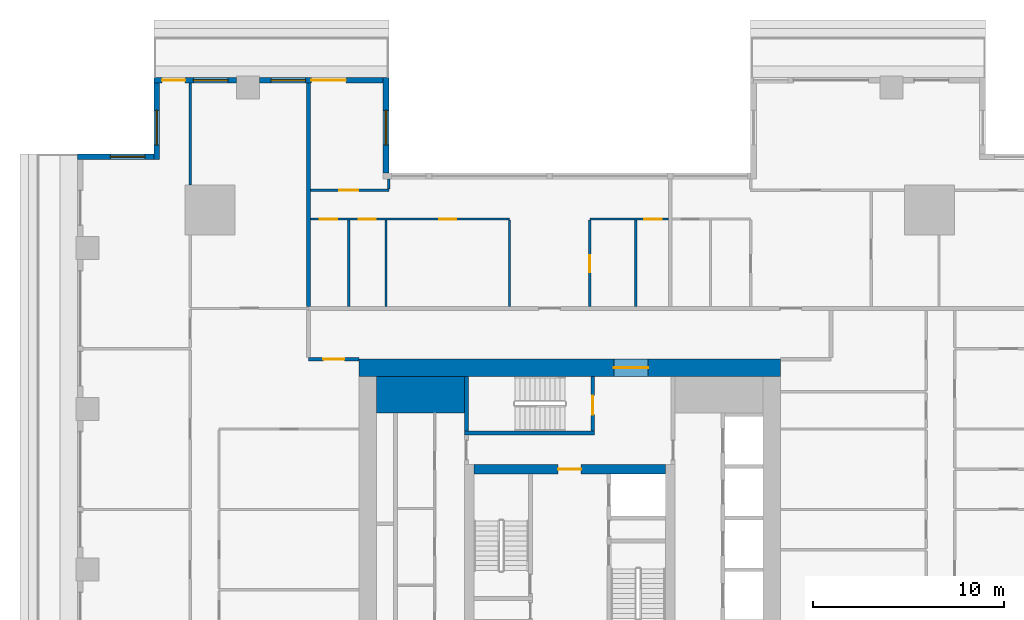
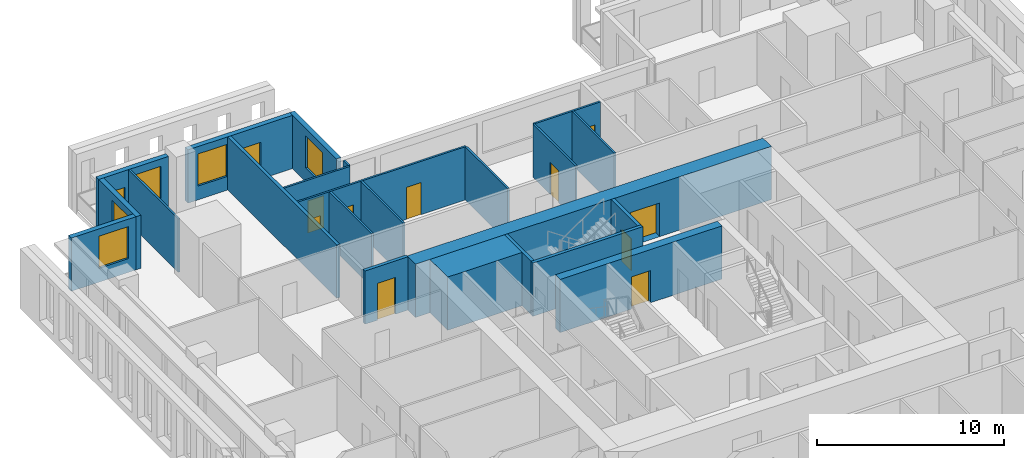
# One storey, part 7 of 15: 23 walls, 12 doors, 5 windows, 17 openings.
"""IFC4 building model written with IfcOpenShell, lengths in metres."""

from ifc_helpers import new_model, si_unit, direction, frame, frame_2d, origin, place, context, subcontext, project, spatial, rectangle, extrude, material, layer, layer_set, type_object, element, fill, save


model = new_model("IFC4")

# Units and contexts
model_context = context("Model", 3, precision=1e-05, world=origin(), true_north=direction((0.0, 1.0)))
body_context = subcontext(model_context, "Body", "Model", "MODEL_VIEW")
ifc_project = project(units=[si_unit("LENGTHUNIT", "METRE"), si_unit("AREAUNIT", "SQUARE_METRE"), si_unit("VOLUMEUNIT", "CUBIC_METRE"), si_unit("PLANEANGLEUNIT", "RADIAN"), si_unit("MASSUNIT", "GRAM", prefix="KILO")], contexts=[model_context])

# Site, building, storey
site_placement = place(None, origin())
site = spatial("IfcSite", under=ifc_project, at=site_placement, CompositionType="ELEMENT")
building_placement = place(site_placement, origin())
building = spatial("IfcBuilding", under=site, at=building_placement, Name="Khepri Terraces", CompositionType="ELEMENT")
storey_placement = place(building_placement, frame((0.0, 0.0, 161.10009765625)))
storey = spatial("IfcBuildingStorey", under=building, at=storey_placement, Name="L38", CompositionType="ELEMENT", Elevation=161.10009765625)

# Walls
ifc_material_1 = material(Name="Concrete C60/75", Category="concrete")
ifc_layer_1 = layer(ifc_material_1, 1.89990234375, Name="Concrete C60/75", Category="concrete")
ifc_layer_set_1 = layer_set([ifc_layer_1], Name="Concrete C60/75")
wall_type_1 = type_object("IfcWallType", Name="Core wall 1900 C60/75", PredefinedType="SHEAR", material=ifc_layer_set_1)
wall_1_placement = place(storey_placement, frame((-10.10009765625, 9.14990234375, 0.0), z_axis=(0.0, 0.0, 1.0), x_axis=(1.0, 0.0, 0.0)))
element("IfcWall", 1, at=wall_1_placement, inside=storey, type_object=wall_type_1, Name="Core wall PR03 L38", PredefinedType="SHEAR", context=body_context, shape_type="SweptSolid", body=[
    extrude(rectangle(XDim=4.60009765625, YDim=1.89990234375, at=frame_2d((2.300048828125, 0.0))), origin(), (0.0, 0.0, 1.0), 3.47998046875),
])
ifc_layer_2 = layer(ifc_material_1, 0.199951171875, Name="Concrete C60/75", Category="concrete")
ifc_layer_set_2 = layer_set([ifc_layer_2], Name="Concrete C60/75")
wall_type_2 = type_object("IfcWallType", Name="Core wall 200 C60/75", PredefinedType="SHEAR", material=ifc_layer_set_2)
wall_2_placement = place(storey_placement, frame((-5.5, 7.14990234375, 0.0), z_axis=(0.0, 0.0, 1.0), x_axis=(1.0, 0.0, 0.0)))
element("IfcWall", 2, at=wall_2_placement, inside=storey, type_object=wall_type_2, Name="Core wall ST05 L38", PredefinedType="SHEAR", context=body_context, shape_type="SweptSolid", body=[
    extrude(rectangle(XDim=6.800048828125, YDim=0.199951171875, at=frame_2d((3.39990234375, 0.0))), origin(), (0.0, 0.0, 1.0), 3.47998046875),
])
wall_3_placement = place(storey_placement, frame((-5.39990234375, 7.25, 0.0), z_axis=(0.0, 0.0, 1.0), x_axis=(0.0, 1.0, 0.0)))
element("IfcWall", 3, at=wall_3_placement, inside=storey, type_object=wall_type_2, Name="Core wall ST06 L38", PredefinedType="SHEAR", context=body_context, shape_type="SweptSolid", body=[
    extrude(rectangle(XDim=2.85009765625, YDim=0.199951171875, at=frame_2d((1.425048828125, 0.0))), origin(), (0.0, 0.0, 1.0), 3.47998046875),
])

# Wall, opening, door
wall_4_placement = place(storey_placement, frame((1.199951171875, 7.25, 0.0), z_axis=(0.0, 0.0, 1.0), x_axis=(0.0, 1.0, 0.0)))
wall_4 = element("IfcWall", 4, at=wall_4_placement, inside=storey, type_object=wall_type_2, Name="Core wall ST07 L38", PredefinedType="SHEAR", context=body_context, shape_type="SweptSolid", body=[
    extrude(rectangle(XDim=2.85009765625, YDim=0.199951171875, at=frame_2d((1.425048828125, 0.0))), origin(), (0.0, 0.0, 1.0), 3.47998046875),
])
opening_1_placement = place(wall_4_placement, frame((0.85009765625, 0.0, 0.0)))
opening_1 = element("IfcOpeningElement", 5, at=opening_1_placement, cuts=wall_4, Name="Opening L38-C15", PredefinedType="OPENING", context=body_context, shape_type="SweptSolid", body=[
    extrude(rectangle(XDim=1.0, YDim=2.10009765625, at=frame_2d((0.5, 1.050048828125))), frame((0.0, 0.10986328125, 0.0), z_axis=(0.0, -1.0, 0.0), x_axis=(1.0, 0.0, 0.0)), (0.0, 0.0, 1.0), 0.219970703125),
])
ifc_material_2 = material(Name="Painted steel", Category="steel")
door_type_1 = type_object("IfcDoorType", Name="DR-CORE-STAIR-1000", OperationType="NOTDEFINED", PredefinedType="DOOR", material=ifc_material_2)
door_1_placement = place(opening_1_placement, origin())
door_1 = element("IfcDoor", 6, at=door_1_placement, inside=storey, type_object=door_type_1, Name="Stair door L38-C15", OperationType="SINGLE_SWING_LEFT", OverallHeight=2.10009765625, OverallWidth=1.0, PredefinedType="DOOR", context=body_context, shape_type="SweptSolid", body=[
    extrude(rectangle(XDim=1.0, YDim=2.10009765625, at=frame_2d((0.5, 1.050048828125))), frame((0.0, 0.02490234375, 0.0), z_axis=(0.0, -1.0, 0.0), x_axis=(1.0, 0.0, 0.0)), (0.0, 0.0, 1.0), 0.050048828125),
])
fill(opening_1, door_1)

ifc_layer_3 = layer(ifc_material_1, 0.5, Name="Concrete C60/75", Category="concrete")
ifc_layer_set_3 = layer_set([ifc_layer_3], Name="Concrete C60/75")
wall_type_3 = type_object("IfcWallType", Name="Core wall 500 C60/75", PredefinedType="SHEAR", material=ifc_layer_set_3)
wall_5_placement = place(storey_placement, frame((-5.0, 5.25, 0.0), z_axis=(0.0, 0.0, 1.0), x_axis=(1.0, 0.0, 0.0)))
wall_5 = element("IfcWall", 7, at=wall_5_placement, inside=storey, type_object=wall_type_3, Name="Core wall BX04 L38", PredefinedType="SHEAR", context=body_context, shape_type="SweptSolid", body=[
    extrude(rectangle(XDim=10.0, YDim=0.5, at=frame_2d((5.0, 0.0))), origin(), (0.0, 0.0, 1.0), 3.47998046875),
])
opening_2_placement = place(wall_5_placement, frame((4.39990234375, 0.0, 0.0)))
opening_2 = element("IfcOpeningElement", 8, at=opening_2_placement, cuts=wall_5, Name="Opening L38-C13", PredefinedType="OPENING", context=body_context, shape_type="SweptSolid", body=[
    extrude(rectangle(XDim=1.199951171875, YDim=2.10009765625, at=frame_2d((0.60009765625, 1.050048828125))), frame((0.0, 0.260009765625, 0.0), z_axis=(0.0, -1.0, 0.0), x_axis=(1.0, 0.0, 0.0)), (0.0, 0.0, 1.0), 0.52001953125),
])
door_type_2 = type_object("IfcDoorType", Name="DR-CORE-FF-LOBBY-1200", OperationType="NOTDEFINED", PredefinedType="DOOR", material=ifc_material_2)
door_2_placement = place(opening_2_placement, frame((1.199951171875, 0.0, 0.0), z_axis=(0.0, 0.0, 1.0), x_axis=(-1.0, 0.0, 0.0)))
door_2 = element("IfcDoor", 9, at=door_2_placement, inside=storey, type_object=door_type_2, Name="Firefighting lobby door L38-C13", OperationType="SINGLE_SWING_LEFT", OverallHeight=2.10009765625, OverallWidth=1.199951171875, PredefinedType="DOOR", context=body_context, shape_type="SweptSolid", body=[
    extrude(rectangle(XDim=1.199951171875, YDim=2.10009765625, at=frame_2d((0.60009765625, 1.050048828125))), frame((0.0, 0.02490234375, 0.0), z_axis=(0.0, -1.0, 0.0), x_axis=(1.0, 0.0, 0.0)), (0.0, 0.0, 1.0), 0.050048828125),
])
fill(opening_2, door_2)

ifc_layer_4 = layer(ifc_material_1, 0.89990234375, Name="Concrete C60/75", Category="concrete")
ifc_layer_set_4 = layer_set([ifc_layer_4], Name="Concrete C60/75")
wall_type_4 = type_object("IfcWallType", Name="Core wall 900 C60/75", PredefinedType="SHEAR", material=ifc_layer_set_4)
wall_6_placement = place(storey_placement, frame((-11.0, 10.550048828125, 0.0), z_axis=(0.0, 0.0, 1.0), x_axis=(1.0, 0.0, 0.0)))
wall_6 = element("IfcWall", 10, at=wall_6_placement, inside=storey, type_object=wall_type_4, Name="Core wall OW-N L38", PredefinedType="SHEAR", context=body_context, shape_type="SweptSolid", body=[
    extrude(rectangle(XDim=22.0, YDim=0.89990234375, at=frame_2d((11.0, 0.0))), origin(), (0.0, 0.0, 1.0), 3.47998046875),
])
opening_3_placement = place(wall_6_placement, frame((13.300048828125, 0.0, 0.0)))
opening_3 = element("IfcOpeningElement", 11, at=opening_3_placement, cuts=wall_6, Name="Opening L38-C20", PredefinedType="OPENING", context=body_context, shape_type="SweptSolid", body=[
    extrude(rectangle(XDim=1.800048828125, YDim=2.199951171875, at=frame_2d((0.89990234375, 1.10009765625))), frame((0.0, 0.4599609375, 0.0), z_axis=(0.0, -1.0, 0.0), x_axis=(1.0, 0.0, 0.0)), (0.0, 0.0, 1.0), 0.919921875),
])
door_type_3 = type_object("IfcDoorType", Name="DR-CORE-ENTRANCE-1800", OperationType="NOTDEFINED", PredefinedType="DOOR", material=ifc_material_2)
door_3_placement = place(opening_3_placement, origin())
door_3 = element("IfcDoor", 12, at=door_3_placement, inside=storey, type_object=door_type_3, Name="Core entrance door pair L38-C20", OperationType="DOUBLE_DOOR_SINGLE_SWING", OverallHeight=2.199951171875, OverallWidth=1.800048828125, PredefinedType="DOOR", context=body_context, shape_type="SweptSolid", body=[
    extrude(rectangle(XDim=1.800048828125, YDim=2.199951171875, at=frame_2d((0.89990234375, 1.10009765625))), frame((0.0, 0.02490234375, 0.0), z_axis=(0.0, -1.0, 0.0), x_axis=(1.0, 0.0, 0.0)), (0.0, 0.0, 1.0), 0.050048828125),
])
fill(opening_3, door_3)

ifc_material_3 = material(Name="Fire-rated gypsum plasterboard partition, mineral wool")
ifc_layer_5 = layer(ifc_material_3, 0.199951171875, Name="Fire-rated gypsum plasterboard partition, mineral wool")
ifc_layer_set_5 = layer_set([ifc_layer_5], Name="Fire-rated gypsum plasterboard partition, mineral wool")
wall_type_5 = type_object("IfcWallType", Name="WL-CORR-200", PredefinedType="PARTITIONING", material=ifc_layer_set_5)
wall_7_placement = place(storey_placement, frame((-13.64990234375, 11.0, 0.0), z_axis=(0.0, 0.0, 1.0), x_axis=(1.0, 0.0, 0.0)))
wall_7 = element("IfcWall", 13, at=wall_7_placement, inside=storey, type_object=wall_type_5, Name="Partition P-075 L38", PredefinedType="PARTITIONING", context=body_context, shape_type="SweptSolid", body=[
    extrude(rectangle(XDim=2.64990234375, YDim=0.199951171875, at=frame_2d((1.324951171875, 0.0))), origin(), (0.0, 0.0, 1.0), 3.47998046875),
])
opening_4_placement = place(wall_7_placement, frame((0.77490234375, 0.0, 0.0)))
opening_4 = element("IfcOpeningElement", 14, at=opening_4_placement, cuts=wall_7, Name="Opening D1", PredefinedType="OPENING", context=body_context, shape_type="SweptSolid", body=[
    extrude(rectangle(XDim=1.10009765625, YDim=2.39990234375, at=frame_2d((0.550048828125, 1.199951171875))), frame((0.0, 0.10986328125, 0.0), z_axis=(0.0, -1.0, 0.0), x_axis=(1.0, 0.0, 0.0)), (0.0, 0.0, 1.0), 0.219970703125),
])
ifc_material_4 = material(Name="Solid-core timber door leaf, flat entrance door", Category="wood")
door_type_4 = type_object("IfcDoorType", Name="DR-ENT-1100", OperationType="NOTDEFINED", PredefinedType="DOOR", material=ifc_material_4)
door_4_placement = place(opening_4_placement, frame((1.10009765625, 0.0, 0.0), z_axis=(0.0, 0.0, 1.0), x_axis=(-1.0, 0.0, 0.0)))
door_4 = element("IfcDoor", 15, at=door_4_placement, inside=storey, type_object=door_type_4, Name="Flat D1 entrance door", OperationType="SINGLE_SWING_LEFT", OverallHeight=2.39990234375, OverallWidth=1.10009765625, PredefinedType="DOOR", context=body_context, shape_type="SweptSolid", body=[
    extrude(rectangle(XDim=1.10009765625, YDim=2.39990234375, at=frame_2d((0.550048828125, 1.199951171875))), frame((0.0, 0.02490234375, 0.0), z_axis=(0.0, -1.0, 0.0), x_axis=(1.0, 0.0, 0.0)), (0.0, 0.0, 1.0), 0.050048828125),
])
fill(opening_4, door_4)

# Wall
wall_8_placement = place(storey_placement, frame((-13.64990234375, 13.75, 0.0), z_axis=(0.0, 0.0, 1.0), x_axis=(0.0, 1.0, 0.0)))
element("IfcWall", 16, at=wall_8_placement, inside=storey, type_object=wall_type_5, Name="Partition P-086 L38", PredefinedType="PARTITIONING", context=body_context, shape_type="SweptSolid", body=[
    extrude(rectangle(XDim=11.669921875, YDim=0.199951171875, at=frame_2d((5.8349609375, 0.0))), origin(), (0.0, 0.0, 1.0), 3.47998046875),
])

# Wall, opening, window
ifc_material_5 = material(Name="Precast concrete C50/60 warm stone", Category="masonry")
ifc_layer_6 = layer(ifc_material_5, 0.300048828125, Name="Precast concrete C50/60 warm stone", Category="masonry")
ifc_layer_set_6 = layer_set([ifc_layer_6], Name="Precast concrete C50/60 warm stone")
wall_type_6 = type_object("IfcWallType", Name="WL-EXT-PRECAST-300", PredefinedType="STANDARD", material=ifc_layer_set_6)
wall_9_placement = place(storey_placement, frame((-9.60009765625, 20.719970703125, 0.0), z_axis=(0.0, 0.0, 1.0), x_axis=(0.0, 1.0, 0.0)))
wall_9 = element("IfcWall", 17, at=wall_9_placement, inside=storey, type_object=wall_type_6, Name="External wall L38 E", PredefinedType="STANDARD", context=body_context, shape_type="SweptSolid", body=[
    extrude(rectangle(XDim=5.0, YDim=0.300048828125, at=frame_2d((2.5, 0.0))), origin(), (0.0, 0.0, 1.0), 3.47998046875),
])
opening_5_placement = place(wall_9_placement, frame((1.47998046875, 0.0, 0.89990234375)))
opening_5 = element("IfcOpeningElement", 18, at=opening_5_placement, cuts=wall_9, Name="Opening W1", PredefinedType="OPENING", context=body_context, shape_type="SweptSolid", body=[
    extrude(rectangle(XDim=1.800048828125, YDim=2.10009765625, at=frame_2d((0.89990234375, 1.050048828125))), frame((0.0, 0.16015625, 0.0), z_axis=(0.0, -1.0, 0.0), x_axis=(1.0, 0.0, 0.0)), (0.0, 0.0, 1.0), 0.320068359375),
])
ifc_material_6 = material(Name="Clear glass", Category="glass")
window_type = type_object("IfcWindowType", Name="WIN-RES-1800x2100", PartitioningType="SINGLE_PANEL", PredefinedType="WINDOW", material=ifc_material_6)
window_1_placement = place(opening_5_placement, origin())
window_1 = element("IfcWindow", 19, at=window_1_placement, inside=storey, type_object=window_type, Name="Window L38 E", OverallHeight=2.10009765625, OverallWidth=1.800048828125, PartitioningType="SINGLE_PANEL", PredefinedType="WINDOW", context=body_context, shape_type="SweptSolid", body=[
    extrude(rectangle(XDim=1.800048828125, YDim=2.10009765625, at=frame_2d((0.89990234375, 1.050048828125))), frame((0.0, 0.030029296875, 0.0), z_axis=(0.0, -1.0, 0.0), x_axis=(1.0, 0.0, 0.0)), (0.0, 0.0, 1.0), 0.06005859375),
])
fill(opening_5, window_1)

# Wall, openings, door, window
wall_10_placement = place(storey_placement, frame((-9.75, 25.570068359375, 0.0), z_axis=(0.0, 0.0, 1.0), x_axis=(-1.0, 0.0, 0.0)))
wall_10 = element("IfcWall", 20, at=wall_10_placement, inside=storey, type_object=wall_type_6, Name="External wall L38 N", PredefinedType="STANDARD", context=body_context, shape_type="SweptSolid", body=[
    extrude(rectangle(XDim=6.449951171875, YDim=0.300048828125, at=frame_2d((3.22509765625, 0.0))), origin(), (0.0, 0.0, 1.0), 3.47998046875),
])
opening_6_placement = place(wall_10_placement, frame((1.949951171875, 0.0, 0.0)))
opening_6 = element("IfcOpeningElement", 21, at=opening_6_placement, cuts=wall_10, Name="Opening ED-L38-10", PredefinedType="OPENING", context=body_context, shape_type="SweptSolid", body=[
    extrude(rectangle(XDim=1.800048828125, YDim=2.39990234375, at=frame_2d((0.89990234375, 1.199951171875))), frame((0.0, 0.16015625, 0.0), z_axis=(0.0, -1.0, 0.0), x_axis=(1.0, 0.0, 0.0)), (0.0, 0.0, 1.0), 0.320068359375),
])
opening_7_placement = place(wall_10_placement, frame((4.050048828125, 0.0, 0.89990234375)))
opening_7 = element("IfcOpeningElement", 22, at=opening_7_placement, cuts=wall_10, Name="Opening W1", PredefinedType="OPENING", context=body_context, shape_type="SweptSolid", body=[
    extrude(rectangle(XDim=1.800048828125, YDim=2.10009765625, at=frame_2d((0.89990234375, 1.050048828125))), frame((0.0, 0.16015625, 0.0), z_axis=(0.0, -1.0, 0.0), x_axis=(1.0, 0.0, 0.0)), (0.0, 0.0, 1.0), 0.320068359375),
])
ifc_material_7 = material(Name="Anodised aluminium bronze glazed door", Category="aluminium")
door_type_5 = type_object("IfcDoorType", Name="DR-BAL-SLIDE-1800x2400", OperationType="NOTDEFINED", PredefinedType="DOOR", material=ifc_material_7)
door_5_placement = place(opening_6_placement, origin())
door_5 = element("IfcDoor", 23, at=door_5_placement, inside=storey, type_object=door_type_5, Name="Balcony door L38 N", OperationType="SLIDING_TO_RIGHT", OverallHeight=2.39990234375, OverallWidth=1.800048828125, PredefinedType="DOOR", context=body_context, shape_type="SweptSolid", body=[
    extrude(rectangle(XDim=1.800048828125, YDim=2.39990234375, at=frame_2d((0.89990234375, 1.199951171875))), frame((0.0, 0.02490234375, 0.0), z_axis=(0.0, -1.0, 0.0), x_axis=(1.0, 0.0, 0.0)), (0.0, 0.0, 1.0), 0.050048828125),
])
fill(opening_6, door_5)
window_2_placement = place(opening_7_placement, origin())
window_2 = element("IfcWindow", 24, at=window_2_placement, inside=storey, type_object=window_type, Name="Window L38 N", OverallHeight=2.10009765625, OverallWidth=1.800048828125, PartitioningType="SINGLE_PANEL", PredefinedType="WINDOW", context=body_context, shape_type="SweptSolid", body=[
    extrude(rectangle(XDim=1.800048828125, YDim=2.10009765625, at=frame_2d((0.89990234375, 1.050048828125))), frame((0.0, 0.030029296875, 0.0), z_axis=(0.0, -1.0, 0.0), x_axis=(1.0, 0.0, 0.0)), (0.0, 0.0, 1.0), 0.06005859375),
])
fill(opening_7, window_2)

wall_11_placement = place(storey_placement, frame((-17.39990234375, 25.570068359375, 0.0), z_axis=(0.0, 0.0, 1.0), x_axis=(-1.0, 0.0, 0.0)))
wall_11 = element("IfcWall", 25, at=wall_11_placement, inside=storey, type_object=wall_type_6, Name="External wall L38 N", PredefinedType="STANDARD", context=body_context, shape_type="SweptSolid", body=[
    extrude(rectangle(XDim=4.320068359375, YDim=0.300048828125, at=frame_2d((2.16015625, 0.0))), origin(), (0.0, 0.0, 1.0), 3.47998046875),
])
opening_8_placement = place(wall_11_placement, frame((2.695068359375, 0.0, 0.0)))
opening_8 = element("IfcOpeningElement", 26, at=opening_8_placement, cuts=wall_11, Name="Opening ED-L38-11", PredefinedType="OPENING", context=body_context, shape_type="SweptSolid", body=[
    extrude(rectangle(XDim=1.199951171875, YDim=2.39990234375, at=frame_2d((0.60009765625, 1.199951171875))), frame((0.0, 0.16015625, 0.0), z_axis=(0.0, -1.0, 0.0), x_axis=(1.0, 0.0, 0.0)), (0.0, 0.0, 1.0), 0.320068359375),
])
opening_9_placement = place(wall_11_placement, frame((0.4599609375, 0.0, 0.89990234375)))
opening_9 = element("IfcOpeningElement", 27, at=opening_9_placement, cuts=wall_11, Name="Opening W1", PredefinedType="OPENING", context=body_context, shape_type="SweptSolid", body=[
    extrude(rectangle(XDim=1.800048828125, YDim=2.10009765625, at=frame_2d((0.89990234375, 1.050048828125))), frame((0.0, 0.16015625, 0.0), z_axis=(0.0, -1.0, 0.0), x_axis=(1.0, 0.0, 0.0)), (0.0, 0.0, 1.0), 0.320068359375),
])
door_type_6 = type_object("IfcDoorType", Name="DR-BAL-SLIDE-1200x2400", OperationType="NOTDEFINED", PredefinedType="DOOR", material=ifc_material_7)
door_6_placement = place(opening_8_placement, origin())
door_6 = element("IfcDoor", 28, at=door_6_placement, inside=storey, type_object=door_type_6, Name="Balcony door L38 N", OperationType="SLIDING_TO_LEFT", OverallHeight=2.39990234375, OverallWidth=1.199951171875, PredefinedType="DOOR", context=body_context, shape_type="SweptSolid", body=[
    extrude(rectangle(XDim=1.199951171875, YDim=2.39990234375, at=frame_2d((0.60009765625, 1.199951171875))), frame((0.0, 0.02490234375, 0.0), z_axis=(0.0, -1.0, 0.0), x_axis=(1.0, 0.0, 0.0)), (0.0, 0.0, 1.0), 0.050048828125),
])
fill(opening_8, door_6)
window_3_placement = place(opening_9_placement, origin())
window_3 = element("IfcWindow", 29, at=window_3_placement, inside=storey, type_object=window_type, Name="Window L38 N", OverallHeight=2.10009765625, OverallWidth=1.800048828125, PartitioningType="SINGLE_PANEL", PredefinedType="WINDOW", context=body_context, shape_type="SweptSolid", body=[
    extrude(rectangle(XDim=1.800048828125, YDim=2.10009765625, at=frame_2d((0.89990234375, 1.050048828125))), frame((0.0, 0.030029296875, 0.0), z_axis=(0.0, -1.0, 0.0), x_axis=(1.0, 0.0, 0.0)), (0.0, 0.0, 1.0), 0.06005859375),
])
fill(opening_9, window_3)

# Wall, opening, window
wall_12_placement = place(storey_placement, frame((-21.570068359375, 25.419921875, 0.0), z_axis=(0.0, 0.0, 1.0), x_axis=(0.0, -1.0, 0.0)))
wall_12 = element("IfcWall", 30, at=wall_12_placement, inside=storey, type_object=wall_type_6, Name="External wall L38 W", PredefinedType="STANDARD", context=body_context, shape_type="SweptSolid", body=[
    extrude(rectangle(XDim=4.0, YDim=0.300048828125, at=frame_2d((2.0, 0.0))), origin(), (0.0, 0.0, 1.0), 3.47998046875),
])
opening_10_placement = place(wall_12_placement, frame((1.419921875, 0.0, 0.89990234375)))
opening_10 = element("IfcOpeningElement", 31, at=opening_10_placement, cuts=wall_12, Name="Opening W1", PredefinedType="OPENING", context=body_context, shape_type="SweptSolid", body=[
    extrude(rectangle(XDim=1.800048828125, YDim=2.10009765625, at=frame_2d((0.89990234375, 1.050048828125))), frame((0.0, 0.16015625, 0.0), z_axis=(0.0, -1.0, 0.0), x_axis=(1.0, 0.0, 0.0)), (0.0, 0.0, 1.0), 0.320068359375),
])
window_4_placement = place(opening_10_placement, origin())
window_4 = element("IfcWindow", 32, at=window_4_placement, inside=storey, type_object=window_type, Name="Window L38 W", OverallHeight=2.10009765625, OverallWidth=1.800048828125, PartitioningType="SINGLE_PANEL", PredefinedType="WINDOW", context=body_context, shape_type="SweptSolid", body=[
    extrude(rectangle(XDim=1.800048828125, YDim=2.10009765625, at=frame_2d((0.89990234375, 1.050048828125))), frame((0.0, 0.030029296875, 0.0), z_axis=(0.0, -1.0, 0.0), x_axis=(1.0, 0.0, 0.0)), (0.0, 0.0, 1.0), 0.06005859375),
])
fill(opening_10, window_4)

wall_13_placement = place(storey_placement, frame((-21.719970703125, 21.570068359375, 0.0), z_axis=(0.0, 0.0, 1.0), x_axis=(-1.0, 0.0, 0.0)))
wall_13 = element("IfcWall", 33, at=wall_13_placement, inside=storey, type_object=wall_type_6, Name="External wall L38 N", PredefinedType="STANDARD", context=body_context, shape_type="SweptSolid", body=[
    extrude(rectangle(XDim=4.0, YDim=0.300048828125, at=frame_2d((2.0, 0.0))), origin(), (0.0, 0.0, 1.0), 3.47998046875),
])
opening_11_placement = place(wall_13_placement, frame((0.47998046875, 0.0, 0.89990234375)))
opening_11 = element("IfcOpeningElement", 34, at=opening_11_placement, cuts=wall_13, Name="Opening W1", PredefinedType="OPENING", context=body_context, shape_type="SweptSolid", body=[
    extrude(rectangle(XDim=1.800048828125, YDim=2.10009765625, at=frame_2d((0.89990234375, 1.050048828125))), frame((0.0, 0.16015625, 0.0), z_axis=(0.0, -1.0, 0.0), x_axis=(1.0, 0.0, 0.0)), (0.0, 0.0, 1.0), 0.320068359375),
])
window_5_placement = place(opening_11_placement, origin())
window_5 = element("IfcWindow", 35, at=window_5_placement, inside=storey, type_object=window_type, Name="Window L38 N", OverallHeight=2.10009765625, OverallWidth=1.800048828125, PartitioningType="SINGLE_PANEL", PredefinedType="WINDOW", context=body_context, shape_type="SweptSolid", body=[
    extrude(rectangle(XDim=1.800048828125, YDim=2.10009765625, at=frame_2d((0.89990234375, 1.050048828125))), frame((0.0, 0.030029296875, 0.0), z_axis=(0.0, -1.0, 0.0), x_axis=(1.0, 0.0, 0.0)), (0.0, 0.0, 1.0), 0.06005859375),
])
fill(opening_11, window_5)

# Walls
ifc_material_8 = material(Name="Gypsum plasterboard partition")
ifc_layer_7 = layer(ifc_material_8, 0.1201171875, Name="Gypsum plasterboard partition")
ifc_layer_set_7 = layer_set([ifc_layer_7], Name="Gypsum plasterboard partition")
wall_type_7 = type_object("IfcWallType", Name="WL-PART-120", PredefinedType="PARTITIONING", material=ifc_layer_set_7)
for number, where, z_axis, x_axis, name in (
    (36, (-11.550048828125, 13.75, 0.0), (0.0, 0.0, 1.0), (0.0, 1.0, 0.0), "Partition P-087 L38"),
    (37, (-9.60009765625, 13.75, 0.0), (0.0, 0.0, 1.0), (0.0, 1.0, 0.0), "Partition P-088 L38"),
    (38, (-3.14990234375, 13.75, 0.0), (0.0, 0.0, 1.0), (0.0, 1.0, 0.0), "Partition P-089 L38"),
):
    element("IfcWall", number, at=place(storey_placement, frame(where, z_axis=z_axis, x_axis=x_axis)), inside=storey, type_object=wall_type_7, Name=name, PredefinedType="PARTITIONING", context=body_context, shape_type="SweptSolid", body=[
        extrude(rectangle(XDim=4.510009765625, YDim=0.1201171875, at=frame_2d((2.2548828125, 0.0))), origin(), (0.0, 0.0, 1.0), 3.47998046875),
    ])

# Wall, opening, door
wall_14_placement = place(storey_placement, frame((1.050048828125, 13.75, 0.0), z_axis=(0.0, 0.0, 1.0), x_axis=(0.0, 1.0, 0.0)))
wall_14 = element("IfcWall", 39, at=wall_14_placement, inside=storey, type_object=wall_type_7, Name="Partition P-090 L38", PredefinedType="PARTITIONING", context=body_context, shape_type="SweptSolid", body=[
    extrude(rectangle(XDim=4.510009765625, YDim=0.1201171875, at=frame_2d((2.2548828125, 0.0))), origin(), (0.0, 0.0, 1.0), 3.47998046875),
])
opening_12_placement = place(wall_14_placement, frame((1.784912109375, 0.0, 0.0)))
opening_12 = element("IfcOpeningElement", 40, at=opening_12_placement, cuts=wall_14, Name="Opening D3", PredefinedType="OPENING", context=body_context, shape_type="SweptSolid", body=[
    extrude(rectangle(XDim=0.89990234375, YDim=2.10009765625, at=frame_2d((0.449951171875, 1.050048828125))), frame((0.0, 0.070068359375, 0.0), z_axis=(0.0, -1.0, 0.0), x_axis=(1.0, 0.0, 0.0)), (0.0, 0.0, 1.0), 0.14013671875),
])
ifc_material_9 = material(Name="Timber door leaf", Category="wood")
door_type_7 = type_object("IfcDoorType", Name="DR-INT-900", OperationType="NOTDEFINED", PredefinedType="DOOR", material=ifc_material_9)
door_7_placement = place(opening_12_placement, frame((0.89990234375, 0.0, 0.0), z_axis=(0.0, 0.0, 1.0), x_axis=(-1.0, 0.0, 0.0)))
door_7 = element("IfcDoor", 41, at=door_7_placement, inside=storey, type_object=door_type_7, Name="Door Staff Bedroom", OperationType="SINGLE_SWING_RIGHT", OverallHeight=2.10009765625, OverallWidth=0.89990234375, PredefinedType="DOOR", context=body_context, shape_type="SweptSolid", body=[
    extrude(rectangle(XDim=0.89990234375, YDim=2.10009765625, at=frame_2d((0.449951171875, 1.050048828125))), frame((0.0, 0.02490234375, 0.0), z_axis=(0.0, -1.0, 0.0), x_axis=(1.0, 0.0, 0.0)), (0.0, 0.0, 1.0), 0.050048828125),
])
fill(opening_12, door_7)

# Wall
wall_15_placement = place(storey_placement, frame((3.449951171875, 13.75, 0.0), z_axis=(0.0, 0.0, 1.0), x_axis=(0.0, 1.0, 0.0)))
element("IfcWall", 42, at=wall_15_placement, inside=storey, type_object=wall_type_7, Name="Partition P-091 L38", PredefinedType="PARTITIONING", context=body_context, shape_type="SweptSolid", body=[
    extrude(rectangle(XDim=4.510009765625, YDim=0.1201171875, at=frame_2d((2.2548828125, 0.0))), origin(), (0.0, 0.0, 1.0), 3.47998046875),
])

# Wall, openings, doors
wall_16_placement = place(storey_placement, frame((-13.550048828125, 18.320068359375, 0.0), z_axis=(0.0, 0.0, 1.0), x_axis=(1.0, 0.0, 0.0)))
wall_16 = element("IfcWall", 43, at=wall_16_placement, inside=storey, type_object=wall_type_7, Name="Partition P-097 L38", PredefinedType="PARTITIONING", context=body_context, shape_type="SweptSolid", body=[
    extrude(rectangle(XDim=10.400146484375, YDim=0.1201171875, at=frame_2d((5.2001953125, 0.0))), origin(), (0.0, 0.0, 1.0), 3.47998046875),
])
opening_13_placement = place(wall_16_placement, frame((6.72509765625, 0.0, 0.0)))
opening_13 = element("IfcOpeningElement", 44, at=opening_13_placement, cuts=wall_16, Name="Opening D3", PredefinedType="OPENING", context=body_context, shape_type="SweptSolid", body=[
    extrude(rectangle(XDim=0.89990234375, YDim=2.10009765625, at=frame_2d((0.449951171875, 1.050048828125))), frame((0.0, 0.070068359375, 0.0), z_axis=(0.0, -1.0, 0.0), x_axis=(1.0, 0.0, 0.0)), (0.0, 0.0, 1.0), 0.14013671875),
])
opening_14_placement = place(wall_16_placement, frame((2.52490234375, 0.0, 0.0)))
opening_14 = element("IfcOpeningElement", 45, at=opening_14_placement, cuts=wall_16, Name="Opening D3", PredefinedType="OPENING", context=body_context, shape_type="SweptSolid", body=[
    extrude(rectangle(XDim=0.89990234375, YDim=2.10009765625, at=frame_2d((0.449951171875, 1.050048828125))), frame((0.0, 0.070068359375, 0.0), z_axis=(0.0, -1.0, 0.0), x_axis=(1.0, 0.0, 0.0)), (0.0, 0.0, 1.0), 0.14013671875),
])
opening_15_placement = place(wall_16_placement, frame((0.5, 0.0, 0.0)))
opening_15 = element("IfcOpeningElement", 46, at=opening_15_placement, cuts=wall_16, Name="Opening D4", PredefinedType="OPENING", context=body_context, shape_type="SweptSolid", body=[
    extrude(rectangle(XDim=0.89990234375, YDim=2.10009765625, at=frame_2d((0.449951171875, 1.050048828125))), frame((0.0, 0.070068359375, 0.0), z_axis=(0.0, -1.0, 0.0), x_axis=(1.0, 0.0, 0.0)), (0.0, 0.0, 1.0), 0.14013671875),
])
door_8_placement = place(opening_13_placement, frame((0.89990234375, 0.0, 0.0), z_axis=(0.0, 0.0, 1.0), x_axis=(-1.0, 0.0, 0.0)))
door_8 = element("IfcDoor", 47, at=door_8_placement, inside=storey, type_object=door_type_7, Name="Door Kitchen", OperationType="SINGLE_SWING_LEFT", OverallHeight=2.10009765625, OverallWidth=0.89990234375, PredefinedType="DOOR", context=body_context, shape_type="SweptSolid", body=[
    extrude(rectangle(XDim=0.89990234375, YDim=2.10009765625, at=frame_2d((0.449951171875, 1.050048828125))), frame((0.0, 0.02490234375, 0.0), z_axis=(0.0, -1.0, 0.0), x_axis=(1.0, 0.0, 0.0)), (0.0, 0.0, 1.0), 0.050048828125),
])
fill(opening_13, door_8)
door_9_placement = place(opening_14_placement, frame((0.89990234375, 0.0, 0.0), z_axis=(0.0, 0.0, 1.0), x_axis=(-1.0, 0.0, 0.0)))
door_9 = element("IfcDoor", 48, at=door_9_placement, inside=storey, type_object=door_type_7, Name="Door Service Store", OperationType="SINGLE_SWING_RIGHT", OverallHeight=2.10009765625, OverallWidth=0.89990234375, PredefinedType="DOOR", context=body_context, shape_type="SweptSolid", body=[
    extrude(rectangle(XDim=0.89990234375, YDim=2.10009765625, at=frame_2d((0.449951171875, 1.050048828125))), frame((0.0, 0.02490234375, 0.0), z_axis=(0.0, -1.0, 0.0), x_axis=(1.0, 0.0, 0.0)), (0.0, 0.0, 1.0), 0.050048828125),
])
fill(opening_14, door_9)
ifc_material_10 = material(Name="Timber door leaf, moisture resistant", Category="wood")
door_type_8 = type_object("IfcDoorType", Name="DR-WET-900", OperationType="NOTDEFINED", PredefinedType="DOOR", material=ifc_material_10)
door_10_placement = place(opening_15_placement, frame((0.89990234375, 0.0, 0.0), z_axis=(0.0, 0.0, 1.0), x_axis=(-1.0, 0.0, 0.0)))
door_10 = element("IfcDoor", 49, at=door_10_placement, inside=storey, type_object=door_type_8, Name="Door Guest Bathroom", OperationType="SINGLE_SWING_RIGHT", OverallHeight=2.10009765625, OverallWidth=0.89990234375, PredefinedType="DOOR", context=body_context, shape_type="SweptSolid", body=[
    extrude(rectangle(XDim=0.89990234375, YDim=2.10009765625, at=frame_2d((0.449951171875, 1.050048828125))), frame((0.0, 0.02490234375, 0.0), z_axis=(0.0, -1.0, 0.0), x_axis=(1.0, 0.0, 0.0)), (0.0, 0.0, 1.0), 0.050048828125),
])
fill(opening_15, door_10)

# Wall, opening, door
wall_17_placement = place(storey_placement, frame((1.050048828125, 18.320068359375, 0.0), z_axis=(0.0, 0.0, 1.0), x_axis=(1.0, 0.0, 0.0)))
wall_17 = element("IfcWall", 50, at=wall_17_placement, inside=storey, type_object=wall_type_7, Name="Partition P-098 L38", PredefinedType="PARTITIONING", context=body_context, shape_type="SweptSolid", body=[
    extrude(rectangle(XDim=4.099853515625, YDim=0.1201171875, at=frame_2d((2.0498046875, 0.0))), origin(), (0.0, 0.0, 1.0), 3.47998046875),
])
opening_16_placement = place(wall_17_placement, frame((2.85009765625, 0.0, 0.0)))
opening_16 = element("IfcOpeningElement", 51, at=opening_16_placement, cuts=wall_17, Name="Opening D4", PredefinedType="OPENING", context=body_context, shape_type="SweptSolid", body=[
    extrude(rectangle(XDim=0.89990234375, YDim=2.10009765625, at=frame_2d((0.449951171875, 1.050048828125))), frame((0.0, 0.070068359375, 0.0), z_axis=(0.0, -1.0, 0.0), x_axis=(1.0, 0.0, 0.0)), (0.0, 0.0, 1.0), 0.14013671875),
])
door_11_placement = place(opening_16_placement, frame((0.89990234375, 0.0, 0.0), z_axis=(0.0, 0.0, 1.0), x_axis=(-1.0, 0.0, 0.0)))
door_11 = element("IfcDoor", 52, at=door_11_placement, inside=storey, type_object=door_type_8, Name="Door Powder Room", OperationType="SINGLE_SWING_LEFT", OverallHeight=2.10009765625, OverallWidth=0.89990234375, PredefinedType="DOOR", context=body_context, shape_type="SweptSolid", body=[
    extrude(rectangle(XDim=0.89990234375, YDim=2.10009765625, at=frame_2d((0.449951171875, 1.050048828125))), frame((0.0, 0.02490234375, 0.0), z_axis=(0.0, -1.0, 0.0), x_axis=(1.0, 0.0, 0.0)), (0.0, 0.0, 1.0), 0.050048828125),
])
fill(opening_16, door_11)

wall_18_placement = place(storey_placement, frame((-13.550048828125, 19.820068359375, 0.0), z_axis=(0.0, 0.0, 1.0), x_axis=(1.0, 0.0, 0.0)))
wall_18 = element("IfcWall", 53, at=wall_18_placement, inside=storey, type_object=wall_type_7, Name="Partition P-100 L38", PredefinedType="PARTITIONING", context=body_context, shape_type="SweptSolid", body=[
    extrude(rectangle(XDim=4.10009765625, YDim=0.1201171875, at=frame_2d((2.050048828125, 0.0))), origin(), (0.0, 0.0, 1.0), 3.47998046875),
])
opening_17_placement = place(wall_18_placement, frame((1.5, 0.0, 0.0)))
opening_17 = element("IfcOpeningElement", 54, at=opening_17_placement, cuts=wall_18, Name="Opening D2", PredefinedType="OPENING", context=body_context, shape_type="SweptSolid", body=[
    extrude(rectangle(XDim=1.0, YDim=2.10009765625, at=frame_2d((0.5, 1.050048828125))), frame((0.0, 0.070068359375, 0.0), z_axis=(0.0, -1.0, 0.0), x_axis=(1.0, 0.0, 0.0)), (0.0, 0.0, 1.0), 0.14013671875),
])
ifc_material_11 = material(Name="Timber door leaf, living room door", Category="wood")
door_type_9 = type_object("IfcDoorType", Name="DR-INT-1000", OperationType="NOTDEFINED", PredefinedType="DOOR", material=ifc_material_11)
door_12_placement = place(opening_17_placement, origin())
door_12 = element("IfcDoor", 55, at=door_12_placement, inside=storey, type_object=door_type_9, Name="Door Living Room", OperationType="SINGLE_SWING_LEFT", OverallHeight=2.10009765625, OverallWidth=1.0, PredefinedType="DOOR", context=body_context, shape_type="SweptSolid", body=[
    extrude(rectangle(XDim=1.0, YDim=2.10009765625, at=frame_2d((0.5, 1.050048828125))), frame((0.0, 0.02490234375, 0.0), z_axis=(0.0, -1.0, 0.0), x_axis=(1.0, 0.0, 0.0)), (0.0, 0.0, 1.0), 0.050048828125),
])
fill(opening_17, door_12)

# Walls
wall_19_placement = place(storey_placement, frame((-9.449951171875, 19.8798828125, 0.0), z_axis=(0.0, 0.0, 1.0), x_axis=(0.0, 1.0, 0.0)))
element("IfcWall", 56, at=wall_19_placement, inside=storey, type_object=wall_type_7, Name="Partition P-103 L38", PredefinedType="PARTITIONING", context=body_context, shape_type="SweptSolid", body=[
    extrude(rectangle(XDim=0.5400390625, YDim=0.1201171875, at=frame_2d((0.27001953125, 0.0))), origin(), (0.0, 0.0, 1.0), 3.47998046875),
])
wall_20_placement = place(storey_placement, frame((-19.820068359375, 20.10009765625, 0.0), z_axis=(0.0, 0.0, 1.0), x_axis=(0.0, 1.0, 0.0)))
element("IfcWall", 57, at=wall_20_placement, inside=storey, type_object=wall_type_7, Name="Partition P-105 L38", PredefinedType="PARTITIONING", context=body_context, shape_type="SweptSolid", body=[
    extrude(rectangle(XDim=5.31982421875, YDim=0.1201171875, at=frame_2d((2.659912109375, 0.0))), origin(), (0.0, 0.0, 1.0), 3.47998046875),
])

save(model, "model.ifc")
